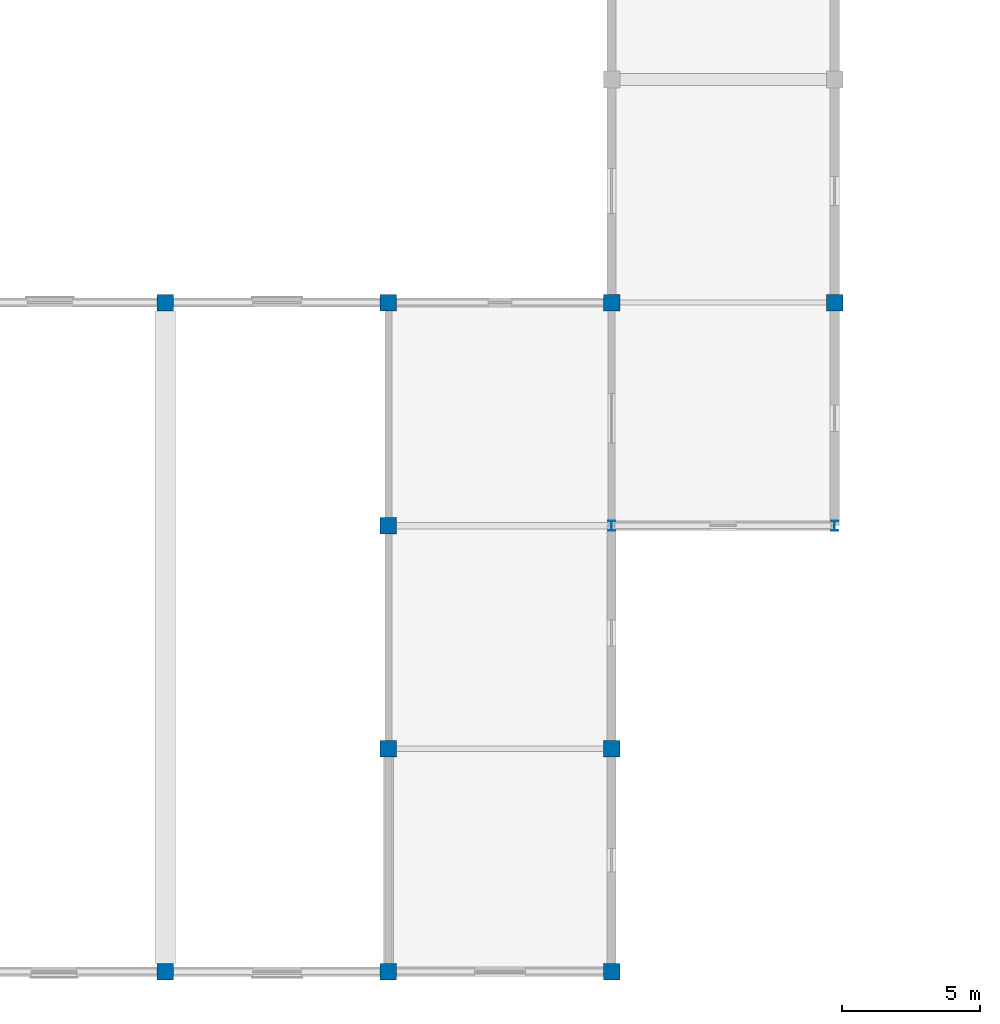
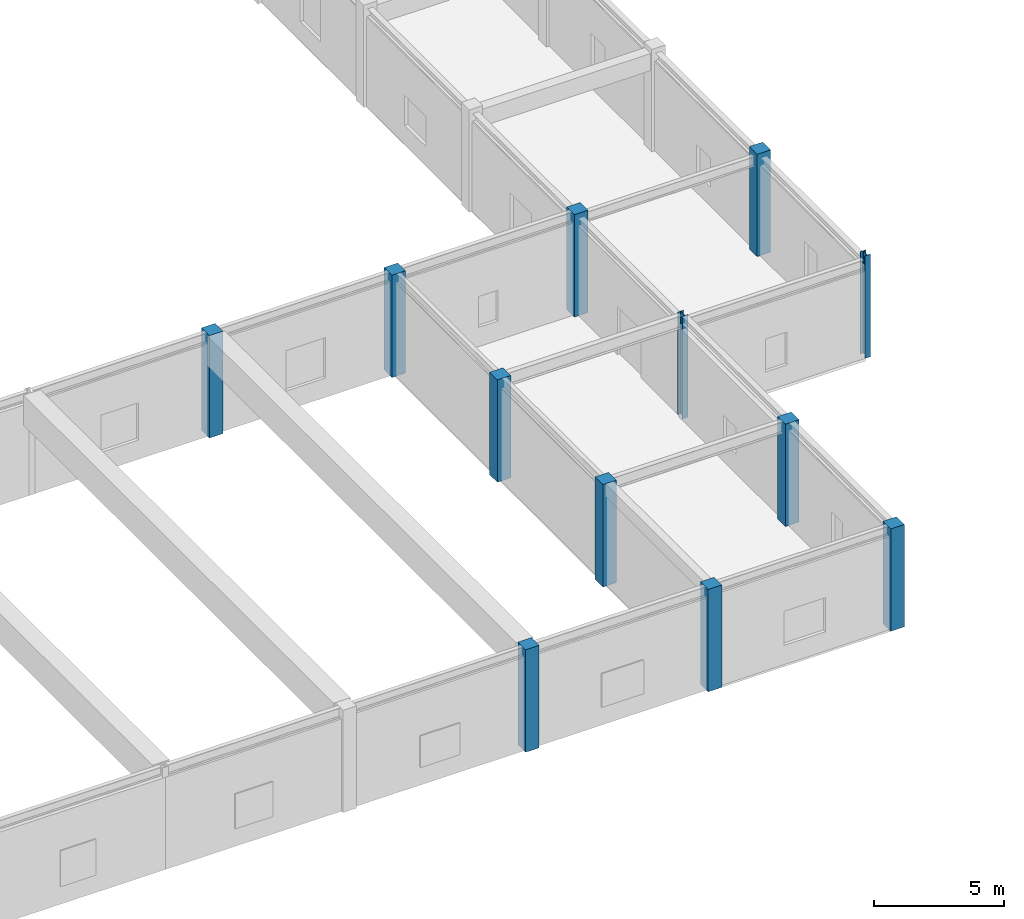
# One storey, part 5 of 58: 12 columns.
"""IFC4 building model written with IfcOpenShell, lengths in metres."""

import ifcopenshell
import ifcopenshell.guid

model = None  # the IFC model being written
_history = None  # IfcOwnerHistory: only IFC2X3 demands one
_inside = {}  # id of a spatial element -> (the spatial element, [elements in it])
_under = {}  # id of a project, library or spatial element -> (it, [spatial elements below it])
_declared = {}  # id of a project -> (the project, [libraries it declares])
_typed = {}  # id of a type object -> (the type object, [elements of that type])
_made_of = {}  # id of a material, layer set ... -> (it, [elements and type objects made of it])


def new_model(schema):
    """Start an empty IFC model of exactly this schema.

    Asked for "IFC4X3", IfcOpenShell would pick the latest addendum, in which some entities
    have other attributes; the version numbers below select the first issue.
    IFC2X3 requires an IfcOwnerHistory on every rooted entity: one is made here for all.
    """
    global model, _history
    if schema == "IFC4X3":
        model = ifcopenshell.file(schema_version=(4, 3, 0, 0))
    else:
        model = ifcopenshell.file(schema=schema)
    _inside.clear()
    _under.clear()
    _declared.clear()
    _typed.clear()
    _made_of.clear()
    _history = None
    if model.schema == "IFC2X3":
        org = make("IfcOrganization", Name="unknown")
        user = make(
            "IfcPersonAndOrganization",
            ThePerson=make("IfcPerson", FamilyName="unknown"),
            TheOrganization=org,
        )
        app = make(
            "IfcApplication",
            ApplicationDeveloper=org,
            Version="unknown",
            ApplicationFullName="unknown",
            ApplicationIdentifier="unknown",
        )
        _history = make(
            "IfcOwnerHistory",
            OwningUser=user,
            OwningApplication=app,
            ChangeAction="ADDED",
            CreationDate=0,
        )
    return model


def make(cls, **values):
    """One entity of the class cls with the attributes given. An attribute that is None is left unset."""
    return model.create_entity(
        cls, **{name: value for name, value in values.items() if value is not None}
    )


def rooted(cls, **values):
    """An entity with a GlobalId (a new one), such as an element, a storey or a relation."""
    return make(cls, GlobalId=ifcopenshell.guid.new(), OwnerHistory=_history, **values)


def si_unit(unit_type, name, prefix=None):
    """IfcSIUnit, for example si_unit("LENGTHUNIT", "METRE", prefix="MILLI")."""
    return make("IfcSIUnit", UnitType=unit_type, Prefix=prefix, Name=name)


def assignment(units):
    """IfcUnitAssignment: the units of a project."""
    return None if units is None else make("IfcUnitAssignment", Units=units)


def point(xyz):
    """IfcCartesianPoint."""
    return None if xyz is None else make("IfcCartesianPoint", Coordinates=xyz)


def direction(xyz):
    """IfcDirection."""
    return None if xyz is None else make("IfcDirection", DirectionRatios=xyz)


def frame(location, z_axis=None, x_axis=None):
    """IfcAxis2Placement3D, a coordinate frame: its origin and axes. An axis left out is left unset."""
    return make(
        "IfcAxis2Placement3D",
        Location=point(location),
        Axis=direction(z_axis),
        RefDirection=direction(x_axis),
    )


def frame_2d(location, x_axis=None):
    """IfcAxis2Placement2D, a coordinate frame in the plane: its origin and x axis."""
    return make(
        "IfcAxis2Placement2D", Location=point(location), RefDirection=direction(x_axis)
    )


def origin():
    """The frame at (0, 0, 0) with its axes left unset."""
    return frame((0.0, 0.0, 0.0))


def origin_2d():
    """The frame at (0, 0) in the plane with its x axis left unset."""
    return frame_2d((0.0, 0.0))


def place(relative_to, where):
    """IfcLocalPlacement: puts the frame where relative to a parent placement (None: the world)."""
    return make(
        "IfcLocalPlacement", PlacementRelTo=relative_to, RelativePlacement=where
    )


def context(
    kind, dimensions, precision=None, world=None, true_north=None, identifier=None
):
    """IfcGeometricRepresentationContext, for example the 3D "Model" context."""
    return make(
        "IfcGeometricRepresentationContext",
        ContextIdentifier=identifier,
        ContextType=kind,
        CoordinateSpaceDimension=dimensions,
        Precision=precision,
        WorldCoordinateSystem=world,
        TrueNorth=true_north,
    )


def subcontext(parent, identifier, kind, view, scale=None):
    """IfcGeometricRepresentationSubContext, for example "Body" below "Model"."""
    return make(
        "IfcGeometricRepresentationSubContext",
        ContextIdentifier=identifier,
        ContextType=kind,
        ParentContext=parent,
        TargetScale=scale,
        TargetView=view,
    )


def project(units=None, contexts=None):
    """IfcProject with its units and contexts."""
    return rooted(
        "IfcProject",
        Name="project",
        RepresentationContexts=contexts,
        UnitsInContext=assignment(units),
    )


def spatial(cls, under=None, at=None, **own):
    """A site, building, storey or space (cls), placed at a placement, below another one or the project."""
    s = rooted(cls, ObjectPlacement=at, **own)
    if under is not None:
        _under.setdefault(under.id(), (under, []))[1].append(s)
    return s


def profile(cls, at=None, kind="AREA", **sizes):
    """A parametric profile (cls). Its sizes go by their IFC names, for example OverallWidth=200.0."""
    return make(cls, ProfileType=kind, Position=at, **sizes)


def rectangle(**sizes):
    """IfcRectangleProfileDef."""
    return profile("IfcRectangleProfileDef", **sizes)


def i_section(**sizes):
    """IfcIShapeProfileDef."""
    return profile("IfcIShapeProfileDef", **sizes)


def extrude(swept, where, along, depth):
    """IfcExtrudedAreaSolid: the profile swept, set in the frame where, extruded along a direction by depth."""
    return make(
        "IfcExtrudedAreaSolid",
        SweptArea=swept,
        Position=where,
        ExtrudedDirection=direction(along),
        Depth=depth,
    )


def shape(context_of_items, identifier, shape_type, items):
    """IfcShapeRepresentation: the items that make up one representation, for example the "Body"."""
    return make(
        "IfcShapeRepresentation",
        ContextOfItems=context_of_items,
        RepresentationIdentifier=identifier,
        RepresentationType=shape_type,
        Items=items,
    )


def material(Name=None, Category=None):
    """IfcMaterial."""
    return make("IfcMaterial", Name=Name, Category=Category)


def material_profile(
    of_material, cross_section, Name=None, Category=None, Priority=None
):
    """IfcMaterialProfile: a cross section and its material."""
    return make(
        "IfcMaterialProfile",
        Name=Name,
        Material=of_material,
        Profile=cross_section,
        Priority=Priority,
        Category=Category,
    )


def profile_set(profiles, Name=None, composite=None):
    """IfcMaterialProfileSet."""
    return make(
        "IfcMaterialProfileSet",
        Name=Name,
        MaterialProfiles=profiles,
        CompositeProfile=composite,
    )


def made_of(thing, what):
    """Note that an element or type object is made of a material, layer set ...; save() writes the relation."""
    if what is not None:
        _made_of.setdefault(what.id(), (what, []))[1].append(thing)
    return thing


def type_object(cls, material=None, **own):
    """A type object (cls), such as IfcWallType, which elements share."""
    return made_of(rooted(cls, **own), material)


def element(
    cls,
    number,
    at=None,
    inside=None,
    cuts=None,
    type_object=None,
    material=None,
    context=None,
    identifier="Body",
    shape_type=None,
    held_by="IfcProductDefinitionShape",
    body=None,
    shapes=None,
    **own,
):
    """One element of the class cls, such as IfcWall. Its Tag is "e" and its number.

    at: its placement. inside: the storey or other place that contains it. cuts: it is an
    opening in that element (IfcRelVoidsElement). A single representation is given by context,
    identifier, shape_type and body (its items); several are given by shapes. held_by: the class
    of the entity that holds the representations. save() writes the other relations.
    """
    e = rooted(cls, Tag="e%d" % number, ObjectPlacement=at, **own)
    if body is not None:
        shapes = [shape(context, identifier, shape_type, body)]
    if shapes is not None:
        e.Representation = make(held_by, Representations=shapes)
    if inside is not None:
        _inside.setdefault(inside.id(), (inside, []))[1].append(e)
    if cuts is not None:
        rooted(
            "IfcRelVoidsElement", RelatingBuildingElement=cuts, RelatedOpeningElement=e
        )
    if type_object is not None:
        _typed.setdefault(type_object.id(), (type_object, []))[1].append(e)
    return made_of(e, material)


def aggregate(whole, parts):
    """IfcRelAggregates: a whole, such as a stair, and the parts it consists of."""
    return rooted("IfcRelAggregates", RelatingObject=whole, RelatedObjects=parts)


def save(model, path):
    """Write the relations noted so far, then the file.

    IfcRelAggregates (storeys below a building ...), IfcRelContainedInSpatialStructure (elements
    in a storey), IfcRelDefinesByType, IfcRelAssociatesMaterial and IfcRelDeclares: one each for
    every whole, place, type object, material and project.
    """
    for whole, parts in _under.values():
        aggregate(whole, parts)
    for where, things in _inside.values():
        rooted(
            "IfcRelContainedInSpatialStructure",
            RelatedElements=things,
            RelatingStructure=where,
        )
    for kind, things in _typed.values():
        rooted("IfcRelDefinesByType", RelatedObjects=things, RelatingType=kind)
    for what, things in _made_of.values():
        rooted("IfcRelAssociatesMaterial", RelatedObjects=things, RelatingMaterial=what)
    for by, libraries in _declared.values():
        rooted("IfcRelDeclares", RelatingContext=by, RelatedDefinitions=libraries)
    model.write(path)


model = new_model("IFC4")

# Units and contexts
model_context = context("Model", 3, precision=1e-05, world=origin(), true_north=direction((0.0, 1.0)))
body_context = subcontext(model_context, "Body", "Model", "MODEL_VIEW")
ifc_project = project(units=[si_unit("LENGTHUNIT", "METRE"), si_unit("AREAUNIT", "SQUARE_METRE"), si_unit("VOLUMEUNIT", "CUBIC_METRE"), si_unit("PLANEANGLEUNIT", "RADIAN"), si_unit("MASSUNIT", "GRAM", prefix="KILO")], contexts=[model_context])

# Site, building, storey
site_placement = place(None, origin())
site = spatial("IfcSite", under=ifc_project, at=site_placement, CompositionType="ELEMENT")
building_placement = place(site_placement, origin())
building = spatial("IfcBuilding", under=site, at=building_placement, Name="Parian Resonance Hall", CompositionType="ELEMENT")
storey_placement = place(building_placement, frame((0.0, 0.0, 10.199951171875)))
storey = spatial("IfcBuildingStorey", under=building, at=storey_placement, Name="L02", CompositionType="ELEMENT", Elevation=10.199951171875)

# Columns
ifc_material_1 = material(Name="Concrete C40/50", Category="concrete")
ifc_material_profile_1 = material_profile(ifc_material_1, rectangle(XDim=0.60009765625, YDim=0.60009765625, at=origin_2d()), Name="RC-COL-600x600")
ifc_profile_set_1 = profile_set([ifc_material_profile_1], Name="Concrete C40/50")
column_type_1 = type_object("IfcColumnType", Name="COL-RC600", PredefinedType="COLUMN", material=ifc_profile_set_1)
for number, where, z_axis, x_axis, name in (
    (1, (97.199951171875, 0.0, 0.0), (0.0, 0.0, 1.0), (1.0, 0.0, 0.0), "Column G13-01 L02"),
    (2, (97.199951171875, 24.300048828125, 0.0), (0.0, 0.0, 1.0), (1.0, 0.0, 0.0), "Column G13-04 L02"),
    (3, (105.300048828125, 0.0, 0.0), (0.0, 0.0, 1.0), (1.0, 0.0, 0.0), "Column G14-01 L02"),
    (4, (105.300048828125, 8.10009765625, 0.0), (0.0, 0.0, 1.0), (1.0, 0.0, 0.0), "Column G14-02 L02"),
    (5, (105.300048828125, 16.199951171875, 0.0), (0.0, 0.0, 1.0), (1.0, 0.0, 0.0), "Column G14-03 L02"),
    (6, (105.300048828125, 24.300048828125, 0.0), (0.0, 0.0, 1.0), (1.0, 0.0, 0.0), "Column G14-04 L02"),
    (7, (113.39990234375, 0.0, 0.0), (0.0, 0.0, 1.0), (1.0, 0.0, 0.0), "Column G15-01 L02"),
    (8, (113.39990234375, 8.10009765625, 0.0), (0.0, 0.0, 1.0), (1.0, 0.0, 0.0), "Column G15-02 L02"),
    (9, (113.39990234375, 24.300048828125, 0.0), (0.0, 0.0, 1.0), (1.0, 0.0, 0.0), "Column G15-04 L02"),
    (10, (121.5, 24.300048828125, 0.0), (0.0, 0.0, 1.0), (1.0, 0.0, 0.0), "Column G16-04 L02"),
):
    element("IfcColumn", number, at=place(storey_placement, frame(where, z_axis=z_axis, x_axis=x_axis)), inside=storey, type_object=column_type_1, Name=name, PredefinedType="COLUMN", context=body_context, shape_type="SweptSolid", body=[
        extrude(rectangle(XDim=0.60009765625, YDim=0.60009765625, at=origin_2d()), origin(), (0.0, 0.0, 1.0), 4.800048828125),
    ])
ifc_material_2 = material(Name="Steel S355", Category="steel")
ifc_material_profile_2 = material_profile(ifc_material_2, i_section(OverallWidth=0.2548828125, OverallDepth=0.35693359375, WebThickness=0.010498046875, FlangeThickness=0.018310546875, FilletRadius=0.01513671875, at=origin_2d()), Name="W360x101")
ifc_profile_set_2 = profile_set([ifc_material_profile_2], Name="Steel S355")
column_type_2 = type_object("IfcColumnType", Name="COL-W360", PredefinedType="COLUMN", material=ifc_profile_set_2)
for number, where, z_axis, x_axis, name in (
    (11, (113.39990234375, 16.199951171875, 0.0), (0.0, 0.0, 1.0), (1.0, 0.0, 0.0), "Column G15-03 L02"),
    (12, (121.5, 16.199951171875, 0.0), (0.0, 0.0, 1.0), (1.0, 0.0, 0.0), "Column G16-03 L02"),
):
    element("IfcColumn", number, at=place(storey_placement, frame(where, z_axis=z_axis, x_axis=x_axis)), inside=storey, type_object=column_type_2, Name=name, PredefinedType="COLUMN", context=body_context, shape_type="SweptSolid", body=[
        extrude(i_section(OverallWidth=0.2548828125, OverallDepth=0.35693359375, WebThickness=0.010498046875, FlangeThickness=0.018310546875, FilletRadius=0.01513671875, at=origin_2d()), origin(), (0.0, 0.0, 1.0), 4.800048828125),
    ])

save(model, "model.ifc")
